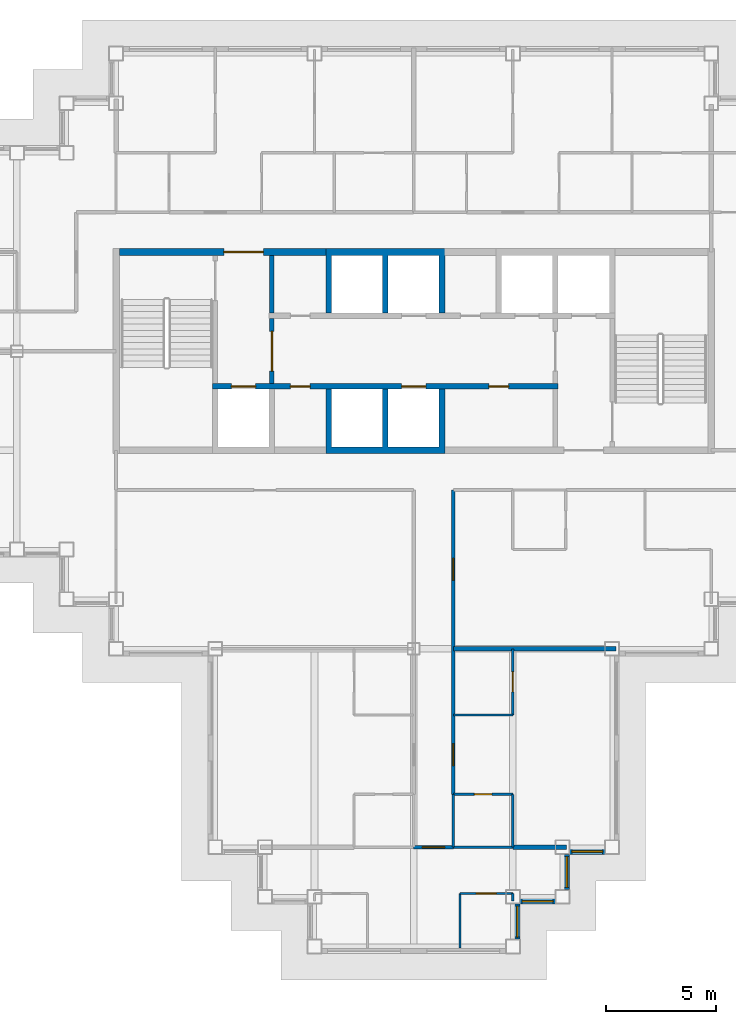
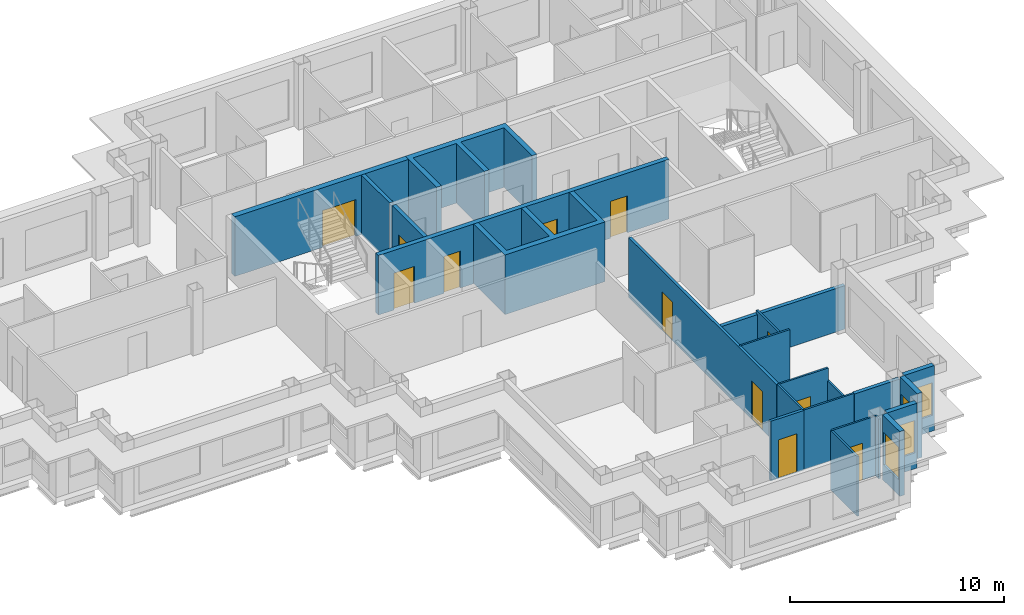
# One storey, part 4 of 12: 23 walls, 12 doors, 4 windows, 16 openings.
"""IFC4 building model written with IfcOpenShell, lengths in metres."""

from ifc_helpers import new_model, si_unit, direction, frame, frame_2d, origin, place, context, subcontext, project, spatial, polyline, rectangle, outline, extrude, material, layer, layer_set, type_object, element, fill, save


model = new_model("IFC4")

# Units and contexts
model_context = context("Model", 3, precision=1e-05, world=origin(), true_north=direction((0.0, 1.0)))
body_context = subcontext(model_context, "Body", "Model", "MODEL_VIEW")
ifc_project = project(units=[si_unit("LENGTHUNIT", "METRE"), si_unit("AREAUNIT", "SQUARE_METRE"), si_unit("VOLUMEUNIT", "CUBIC_METRE"), si_unit("PLANEANGLEUNIT", "RADIAN"), si_unit("MASSUNIT", "GRAM", prefix="KILO")], contexts=[model_context])

# Site, building, storey
site_placement = place(None, origin())
site = spatial("IfcSite", under=ifc_project, at=site_placement, CompositionType="ELEMENT")
building_placement = place(site_placement, origin())
building = spatial("IfcBuilding", under=site, at=building_placement, Name="Caravel Reach Hotel and Residences", CompositionType="ELEMENT")
storey_placement = place(building_placement, frame((0.0, 0.0, 214.60009765625)))
storey = spatial("IfcBuildingStorey", under=building, at=storey_placement, Name="L54", CompositionType="ELEMENT", Elevation=214.60009765625)

# Wall
ifc_material_1 = material(Name="Gypsum board on steel stud", Category="steel")
ifc_layer_1 = layer(ifc_material_1, 0.10009765625)
ifc_layer_set_1 = layer_set([ifc_layer_1], Name="Bathroom pod wall 100 mm")
wall_type_1 = type_object("IfcWallType", Name="Bathroom pod wall 100 mm", PredefinedType="PARTITIONING", material=ifc_layer_set_1)
wall_1_placement = place(storey_placement, frame((33.300048828125, 4.5, 0.0), z_axis=(0.0, 0.0, 1.0), x_axis=(1.0, 0.0, 0.0)))
element("IfcWall", 1, at=wall_1_placement, inside=storey, type_object=wall_type_1, Name="L54 wall w086", PredefinedType="PARTITIONING", context=body_context, shape_type="SweptSolid", body=[
    extrude(rectangle(XDim=2.699951171875, YDim=0.10009765625, at=frame_2d((1.35009765625, 0.0))), origin(), (0.0, 0.0, 1.0), 3.39990234375),
])

# Wall, opening, door
wall_2_placement = place(storey_placement, frame((33.300048828125, 6.89990234375, 0.0), z_axis=(0.0, 0.0, 1.0), x_axis=(1.0, 0.0, 0.0)))
wall_2 = element("IfcWall", 2, at=wall_2_placement, inside=storey, type_object=wall_type_1, Name="L54 wall w088", PredefinedType="PARTITIONING", context=body_context, shape_type="SweptSolid", body=[
    extrude(rectangle(XDim=2.699951171875, YDim=0.10009765625, at=frame_2d((1.35009765625, 0.0))), origin(), (0.0, 0.0, 1.0), 3.39990234375),
])
opening_1_placement = place(wall_2_placement, frame((0.949951171875, 0.0, 0.0)))
opening_1 = element("IfcOpeningElement", 3, at=opening_1_placement, cuts=wall_2, Name="Opening D54-040", PredefinedType="OPENING", context=body_context, shape_type="SweptSolid", body=[
    extrude(rectangle(XDim=0.800048828125, YDim=2.10009765625, at=frame_2d((0.39990234375, 1.050048828125))), frame((0.0, 0.06005859375, 0.0), z_axis=(0.0, -1.0, 0.0), x_axis=(1.0, 0.0, 0.0)), (0.0, 0.0, 1.0), 0.1201171875),
])
ifc_material_2 = material(Name="Timber and steel door leaf", Category="steel")
door_type_1 = type_object("IfcDoorType", Name="Bathroom door 800 x 2100", OperationType="SINGLE_SWING_LEFT", PredefinedType="DOOR", material=ifc_material_2)
door_1_placement = place(opening_1_placement, origin())
door_1 = element("IfcDoor", 4, at=door_1_placement, inside=storey, type_object=door_type_1, Name="door D54-040", OperationType="SINGLE_SWING_LEFT", OverallHeight=2.10009765625, OverallWidth=0.800048828125, PredefinedType="DOOR", context=body_context, shape_type="SweptSolid", body=[
    extrude(rectangle(XDim=0.800048828125, YDim=2.10009765625, at=frame_2d((0.39990234375, 1.050048828125))), frame((0.0, 0.02490234375, 0.0), z_axis=(0.0, -1.0, 0.0), x_axis=(1.0, 0.0, 0.0)), (0.0, 0.0, 1.0), 0.050048828125),
])
fill(opening_1, door_1)

# Walls
wall_3_placement = place(storey_placement, frame((33.300048828125, 4.5, 0.0), z_axis=(0.0, 0.0, 1.0), x_axis=(0.0, 1.0, 0.0)))
element("IfcWall", 5, at=wall_3_placement, inside=storey, type_object=wall_type_1, Name="L54 wall w097", PredefinedType="PARTITIONING", context=body_context, shape_type="SweptSolid", body=[
    extrude(rectangle(XDim=2.39990234375, YDim=0.10009765625, at=frame_2d((1.199951171875, 0.0))), origin(), (0.0, 0.0, 1.0), 3.39990234375),
])
wall_4_placement = place(storey_placement, frame((36.0, 4.5, 0.0), z_axis=(0.0, 0.0, 1.0), x_axis=(0.0, 1.0, 0.0)))
element("IfcWall", 6, at=wall_4_placement, inside=storey, type_object=wall_type_1, Name="L54 wall w099", PredefinedType="PARTITIONING", context=body_context, shape_type="SweptSolid", body=[
    extrude(rectangle(XDim=2.39990234375, YDim=0.10009765625, at=frame_2d((1.199951171875, 0.0))), origin(), (0.0, 0.0, 1.0), 2.679931640625),
])
ifc_material_3 = material(Name="Autoclaved aerated block wall")
ifc_layer_2 = layer(ifc_material_3, 0.199951171875)
ifc_layer_set_2 = layer_set([ifc_layer_2], Name="Compartment wall 200 mm EI 120")
wall_type_2 = type_object("IfcWallType", Name="Compartment wall 200 mm EI 120", PredefinedType="PARTITIONING", material=ifc_layer_set_2)
wall_5_placement = place(storey_placement, frame((25.071533203125, 28.72509765625, 0.0), z_axis=(0.0, 0.0, 1.0), x_axis=(0.0, 1.0, 0.0)))
element("IfcWall", 7, at=wall_5_placement, inside=storey, type_object=wall_type_2, Name="L54 store partition", PredefinedType="PARTITIONING", context=body_context, shape_type="SweptSolid", body=[
    extrude(rectangle(XDim=2.625, YDim=0.199951171875, at=frame_2d((1.3125, 0.0))), origin(), (0.0, 0.0, 1.0), 3.39990234375),
])

# Wall, opening, door
ifc_material_4 = material(Name="Concrete C60", Category="concrete")
ifc_layer_3 = layer(ifc_material_4, 0.300048828125)
ifc_layer_set_3 = layer_set([ifc_layer_3], Name="Core wall 300 mm EI 120")
wall_type_3 = type_object("IfcWallType", Name="Core wall 300 mm EI 120", PredefinedType="SHEAR", material=ifc_layer_set_3)
wall_6_placement = place(storey_placement, frame((18.14990234375, 31.5, 0.0), z_axis=(0.0, 0.0, 1.0), x_axis=(1.0, 0.0, 0.0)))
wall_6 = element("IfcWall", 8, at=wall_6_placement, inside=storey, type_object=wall_type_3, Name="L54 core wall N1", PredefinedType="SHEAR", context=body_context, shape_type="SweptSolid", body=[
    extrude(rectangle(XDim=9.367919921875, YDim=0.300048828125, at=frame_2d((4.68408203125, 0.0))), origin(), (0.0, 0.0, 1.0), 3.39990234375),
])
opening_2_placement = place(wall_6_placement, frame((4.735595703125, 0.0, 0.0)))
opening_2 = element("IfcOpeningElement", 9, at=opening_2_placement, cuts=wall_6, Name="Opening D54-014", PredefinedType="OPENING", context=body_context, shape_type="SweptSolid", body=[
    extrude(rectangle(XDim=1.800048828125, YDim=2.10009765625, at=frame_2d((0.89990234375, 1.050048828125))), frame((0.0, 0.159912109375, 0.0), z_axis=(0.0, -1.0, 0.0), x_axis=(1.0, 0.0, 0.0)), (0.0, 0.0, 1.0), 0.320068359375),
])
ifc_material_5 = material(Name="Steel fire door leaf", Category="steel")
door_type_2 = type_object("IfcDoorType", Name="Fire lobby door pair 1800 x 2100 EI 90", OperationType="DOUBLE_DOOR_SINGLE_SWING", PredefinedType="DOOR", material=ifc_material_5)
door_2_placement = place(opening_2_placement, origin())
door_2 = element("IfcDoor", 10, at=door_2_placement, inside=storey, type_object=door_type_2, Name="lobby N door pair to corridor", OperationType="DOUBLE_DOOR_SINGLE_SWING", OverallHeight=2.10009765625, OverallWidth=1.800048828125, PredefinedType="DOOR", context=body_context, shape_type="SweptSolid", body=[
    extrude(rectangle(XDim=1.800048828125, YDim=2.10009765625, at=frame_2d((0.89990234375, 1.050048828125))), frame((0.0, 0.02490234375, 0.0), z_axis=(0.0, -1.0, 0.0), x_axis=(1.0, 0.0, 0.0)), (0.0, 0.0, 1.0), 0.050048828125),
])
fill(opening_2, door_2)

ifc_material_6 = material(Name="Gypsum board on steel stud, fire-rated", Category="steel")
ifc_layer_4 = layer(ifc_material_6, 0.14990234375)
ifc_layer_set_4 = layer_set([ifc_layer_4], Name="Corridor wall 150 mm EI 60")
wall_type_4 = type_object("IfcWallType", Name="Corridor wall 150 mm EI 60", PredefinedType="PARTITIONING", material=ifc_layer_set_4)
wall_7_placement = place(storey_placement, frame((31.5, 4.5, 0.0), z_axis=(0.0, 0.0, 1.0), x_axis=(1.0, 0.0, 0.0)))
wall_7 = element("IfcWall", 11, at=wall_7_placement, inside=storey, type_object=wall_type_4, Name="L54 wall w018", PredefinedType="PARTITIONING", context=body_context, shape_type="SweptSolid", body=[
    extrude(rectangle(XDim=1.800048828125, YDim=0.14990234375, at=frame_2d((0.89990234375, 0.0))), origin(), (0.0, 0.0, 1.0), 3.39990234375),
])
opening_3_placement = place(wall_7_placement, frame((0.39990234375, 0.0, 0.0)))
opening_3 = element("IfcOpeningElement", 12, at=opening_3_placement, cuts=wall_7, Name="Opening D54-046", PredefinedType="OPENING", context=body_context, shape_type="SweptSolid", body=[
    extrude(rectangle(XDim=1.0, YDim=2.199951171875, at=frame_2d((0.5, 1.10009765625))), frame((0.0, 0.0849609375, 0.0), z_axis=(0.0, -1.0, 0.0), x_axis=(1.0, 0.0, 0.0)), (0.0, 0.0, 1.0), 0.169921875),
])
ifc_material_7 = material(Name="Steel fire door leaf", Category="steel")
door_type_3 = type_object("IfcDoorType", Name="Flat entrance door 1000 x 2200 EI 60", OperationType="SINGLE_SWING_LEFT", PredefinedType="DOOR", material=ifc_material_7)
door_3_placement = place(opening_3_placement, origin())
door_3 = element("IfcDoor", 13, at=door_3_placement, inside=storey, type_object=door_type_3, Name="door D54-046", OperationType="SINGLE_SWING_RIGHT", OverallHeight=2.199951171875, OverallWidth=1.0, PredefinedType="DOOR", context=body_context, shape_type="SweptSolid", body=[
    extrude(rectangle(XDim=1.0, YDim=2.199951171875, at=frame_2d((0.5, 1.10009765625))), frame((0.0, 0.02490234375, 0.0), z_axis=(0.0, -1.0, 0.0), x_axis=(1.0, 0.0, 0.0)), (0.0, 0.0, 1.0), 0.050048828125),
])
fill(opening_3, door_3)

# Wall, openings, doors
wall_8_placement = place(storey_placement, frame((33.300048828125, 6.89990234375, 0.0), z_axis=(0.0, 0.0, 1.0), x_axis=(0.0, 1.0, 0.0)))
wall_8 = element("IfcWall", 14, at=wall_8_placement, inside=storey, type_object=wall_type_4, Name="L54 wall w024", PredefinedType="PARTITIONING", context=body_context, shape_type="SweptSolid", body=[
    extrude(rectangle(XDim=13.799072265625, YDim=0.14990234375, at=frame_2d((6.8994140625, 0.0))), origin(), (0.0, 0.0, 1.0), 3.39990234375),
])
opening_4_placement = place(wall_8_placement, frame((9.69921875, 0.0, 0.0)))
opening_4 = element("IfcOpeningElement", 15, at=opening_4_placement, cuts=wall_8, Name="Opening D54-033", PredefinedType="OPENING", context=body_context, shape_type="SweptSolid", body=[
    extrude(rectangle(XDim=1.0, YDim=2.199951171875, at=frame_2d((0.5, 1.10009765625))), frame((0.0, 0.0849609375, 0.0), z_axis=(0.0, -1.0, 0.0), x_axis=(1.0, 0.0, 0.0)), (0.0, 0.0, 1.0), 0.169921875),
])
opening_5_placement = place(wall_8_placement, frame((1.300048828125, 0.0, 0.0)))
opening_5 = element("IfcOpeningElement", 16, at=opening_5_placement, cuts=wall_8, Name="Opening D54-039", PredefinedType="OPENING", context=body_context, shape_type="SweptSolid", body=[
    extrude(rectangle(XDim=1.0, YDim=2.199951171875, at=frame_2d((0.5, 1.10009765625))), frame((0.0, 0.0849609375, 0.0), z_axis=(0.0, -1.0, 0.0), x_axis=(1.0, 0.0, 0.0)), (0.0, 0.0, 1.0), 0.169921875),
])
door_4_placement = place(opening_4_placement, origin())
door_4 = element("IfcDoor", 17, at=door_4_placement, inside=storey, type_object=door_type_3, Name="door D54-033", OperationType="SINGLE_SWING_LEFT", OverallHeight=2.199951171875, OverallWidth=1.0, PredefinedType="DOOR", context=body_context, shape_type="SweptSolid", body=[
    extrude(rectangle(XDim=1.0, YDim=2.199951171875, at=frame_2d((0.5, 1.10009765625))), frame((0.0, 0.02490234375, 0.0), z_axis=(0.0, -1.0, 0.0), x_axis=(1.0, 0.0, 0.0)), (0.0, 0.0, 1.0), 0.050048828125),
])
fill(opening_4, door_4)
door_5_placement = place(opening_5_placement, origin())
door_5 = element("IfcDoor", 18, at=door_5_placement, inside=storey, type_object=door_type_3, Name="door D54-039", OperationType="SINGLE_SWING_RIGHT", OverallHeight=2.199951171875, OverallWidth=1.0, PredefinedType="DOOR", context=body_context, shape_type="SweptSolid", body=[
    extrude(rectangle(XDim=1.0, YDim=2.199951171875, at=frame_2d((0.5, 1.10009765625))), frame((0.0, 0.02490234375, 0.0), z_axis=(0.0, -1.0, 0.0), x_axis=(1.0, 0.0, 0.0)), (0.0, 0.0, 1.0), 0.050048828125),
])
fill(opening_5, door_5)

# Wall, opening, window
ifc_material_8 = material(Name="Insulated rainscreen wall, aluminium cladding", Category="aluminium")
ifc_layer_5 = layer(ifc_material_8, 0.25)
ifc_layer_set_5 = layer_set([ifc_layer_5], Name="EW1 Tower rainscreen wall")
wall_type_5 = type_object("IfcWallType", Name="EW1 Tower rainscreen wall", PredefinedType="SOLIDWALL", material=ifc_layer_set_5)
wall_9_placement = place(storey_placement, frame((36.199951171875, 0.324951171875, 0.0), z_axis=(0.0, 0.0, 1.0), x_axis=(0.0, 1.0, 0.0)))
wall_9 = element("IfcWall", 19, at=wall_9_placement, inside=storey, type_object=wall_type_5, Name="External wall L54 E36.1", PredefinedType="SOLIDWALL", context=body_context, shape_type="SweptSolid", body=[
    extrude(rectangle(XDim=1.60009765625, YDim=0.25, at=frame_2d((0.800048828125, 0.0))), origin(), (0.0, 0.0, 1.0), 3.699951171875),
])
opening_6_placement = place(wall_9_placement, frame((0.10009765625, 0.0, 0.89990234375)))
opening_6 = element("IfcOpeningElement", 20, at=opening_6_placement, cuts=wall_9, Name="Opening WN22", PredefinedType="OPENING", context=body_context, shape_type="SweptSolid", body=[
    extrude(rectangle(XDim=1.39990234375, YDim=1.85009765625, at=frame_2d((0.699951171875, 0.925048828125))), frame((0.0, 0.135009765625, 0.0), z_axis=(0.0, -1.0, 0.0), x_axis=(1.0, 0.0, 0.0)), (0.0, 0.0, 1.0), 0.27001953125),
])
ifc_material_9 = material(Name="Dark low-e glazing in black aluminium frame", Category="aluminium")
window_type = type_object("IfcWindowType", Name="Residence bedroom window 1400 x 1850", PartitioningType="SINGLE_PANEL", PredefinedType="WINDOW", material=ifc_material_9)
window_1_placement = place(opening_6_placement, origin())
window_1 = element("IfcWindow", 21, at=window_1_placement, inside=storey, type_object=window_type, Name="Window L54 E36.1.1", OverallHeight=1.85009765625, OverallWidth=1.39990234375, PartitioningType="SINGLE_PANEL", PredefinedType="WINDOW", context=body_context, shape_type="SweptSolid", body=[
    extrude(rectangle(XDim=1.39990234375, YDim=1.85009765625, at=frame_2d((0.699951171875, 0.925048828125))), frame((0.0, 0.030029296875, 0.0), z_axis=(0.0, -1.0, 0.0), x_axis=(1.0, 0.0, 0.0)), (0.0, 0.0, 1.0), 0.06005859375),
])
fill(opening_6, window_1)

wall_10_placement = place(storey_placement, frame((36.324951171875, 2.050048828125, 0.0), z_axis=(0.0, 0.0, 1.0), x_axis=(1.0, 0.0, 0.0)))
wall_10 = element("IfcWall", 22, at=wall_10_placement, inside=storey, type_object=wall_type_5, Name="External wall L54 S37.1", PredefinedType="SOLIDWALL", context=body_context, shape_type="SweptSolid", body=[
    extrude(rectangle(XDim=1.60009765625, YDim=0.25, at=frame_2d((0.800048828125, 0.0))), origin(), (0.0, 0.0, 1.0), 3.699951171875),
])
opening_7_placement = place(wall_10_placement, frame((0.10009765625, 0.0, 0.89990234375)))
opening_7 = element("IfcOpeningElement", 23, at=opening_7_placement, cuts=wall_10, Name="Opening WN22", PredefinedType="OPENING", context=body_context, shape_type="SweptSolid", body=[
    extrude(rectangle(XDim=1.39990234375, YDim=1.85009765625, at=frame_2d((0.699951171875, 0.925048828125))), frame((0.0, 0.135009765625, 0.0), z_axis=(0.0, -1.0, 0.0), x_axis=(1.0, 0.0, 0.0)), (0.0, 0.0, 1.0), 0.27001953125),
])
window_2_placement = place(opening_7_placement, origin())
window_2 = element("IfcWindow", 24, at=window_2_placement, inside=storey, type_object=window_type, Name="Window L54 S37.1.1", OverallHeight=1.85009765625, OverallWidth=1.39990234375, PartitioningType="SINGLE_PANEL", PredefinedType="WINDOW", context=body_context, shape_type="SweptSolid", body=[
    extrude(rectangle(XDim=1.39990234375, YDim=1.85009765625, at=frame_2d((0.699951171875, 0.925048828125))), frame((0.0, 0.030029296875, 0.0), z_axis=(0.0, -1.0, 0.0), x_axis=(1.0, 0.0, 0.0)), (0.0, 0.0, 1.0), 0.06005859375),
])
fill(opening_7, window_2)

wall_11_placement = place(storey_placement, frame((38.449951171875, 2.574951171875, 0.0), z_axis=(0.0, 0.0, 1.0), x_axis=(0.0, 1.0, 0.0)))
wall_11 = element("IfcWall", 25, at=wall_11_placement, inside=storey, type_object=wall_type_5, Name="External wall L54 E38.1", PredefinedType="SOLIDWALL", context=body_context, shape_type="SweptSolid", body=[
    extrude(rectangle(XDim=1.60009765625, YDim=0.25, at=frame_2d((0.800048828125, 0.0))), origin(), (0.0, 0.0, 1.0), 3.699951171875),
])
opening_8_placement = place(wall_11_placement, frame((0.10009765625, 0.0, 0.89990234375)))
opening_8 = element("IfcOpeningElement", 26, at=opening_8_placement, cuts=wall_11, Name="Opening WN22", PredefinedType="OPENING", context=body_context, shape_type="SweptSolid", body=[
    extrude(rectangle(XDim=1.39990234375, YDim=1.85009765625, at=frame_2d((0.699951171875, 0.925048828125))), frame((0.0, 0.135009765625, 0.0), z_axis=(0.0, -1.0, 0.0), x_axis=(1.0, 0.0, 0.0)), (0.0, 0.0, 1.0), 0.27001953125),
])
window_3_placement = place(opening_8_placement, origin())
window_3 = element("IfcWindow", 27, at=window_3_placement, inside=storey, type_object=window_type, Name="Window L54 E38.1.1", OverallHeight=1.85009765625, OverallWidth=1.39990234375, PartitioningType="SINGLE_PANEL", PredefinedType="WINDOW", context=body_context, shape_type="SweptSolid", body=[
    extrude(rectangle(XDim=1.39990234375, YDim=1.85009765625, at=frame_2d((0.699951171875, 0.925048828125))), frame((0.0, 0.030029296875, 0.0), z_axis=(0.0, -1.0, 0.0), x_axis=(1.0, 0.0, 0.0)), (0.0, 0.0, 1.0), 0.06005859375),
])
fill(opening_8, window_3)

wall_12_placement = place(storey_placement, frame((38.574951171875, 4.300048828125, 0.0), z_axis=(0.0, 0.0, 1.0), x_axis=(1.0, 0.0, 0.0)))
wall_12 = element("IfcWall", 28, at=wall_12_placement, inside=storey, type_object=wall_type_5, Name="External wall L54 S39.1", PredefinedType="SOLIDWALL", context=body_context, shape_type="SweptSolid", body=[
    extrude(rectangle(XDim=1.60009765625, YDim=0.25, at=frame_2d((0.800048828125, 0.0))), origin(), (0.0, 0.0, 1.0), 3.699951171875),
])
opening_9_placement = place(wall_12_placement, frame((0.10009765625, 0.0, 0.89990234375)))
opening_9 = element("IfcOpeningElement", 29, at=opening_9_placement, cuts=wall_12, Name="Opening WN22", PredefinedType="OPENING", context=body_context, shape_type="SweptSolid", body=[
    extrude(rectangle(XDim=1.39990234375, YDim=1.85009765625, at=frame_2d((0.699951171875, 0.925048828125))), frame((0.0, 0.135009765625, 0.0), z_axis=(0.0, -1.0, 0.0), x_axis=(1.0, 0.0, 0.0)), (0.0, 0.0, 1.0), 0.27001953125),
])
window_4_placement = place(opening_9_placement, origin())
window_4 = element("IfcWindow", 30, at=window_4_placement, inside=storey, type_object=window_type, Name="Window L54 S39.1.1", OverallHeight=1.85009765625, OverallWidth=1.39990234375, PartitioningType="SINGLE_PANEL", PredefinedType="WINDOW", context=body_context, shape_type="SweptSolid", body=[
    extrude(rectangle(XDim=1.39990234375, YDim=1.85009765625, at=frame_2d((0.699951171875, 0.925048828125))), frame((0.0, 0.030029296875, 0.0), z_axis=(0.0, -1.0, 0.0), x_axis=(1.0, 0.0, 0.0)), (0.0, 0.0, 1.0), 0.06005859375),
])
fill(opening_9, window_4)

# Wall, opening, door
ifc_material_10 = material(Name="Autoclaved aerated block wall")
ifc_layer_6 = layer(ifc_material_10, 0.199951171875)
ifc_layer_set_6 = layer_set([ifc_layer_6], Name="Fire lobby wall 200 mm EI 120")
wall_type_6 = type_object("IfcWallType", Name="Fire lobby wall 200 mm EI 120", PredefinedType="PARTITIONING", material=ifc_layer_set_6)
wall_13_placement = place(storey_placement, frame((25.071533203125, 25.52490234375, 0.0), z_axis=(0.0, 0.0, 1.0), x_axis=(0.0, 1.0, 0.0)))
wall_13 = element("IfcWall", 31, at=wall_13_placement, inside=storey, type_object=wall_type_6, Name="L54 lobby W wall", PredefinedType="PARTITIONING", context=body_context, shape_type="SweptSolid", body=[
    extrude(rectangle(XDim=2.9501953125, YDim=0.199951171875, at=frame_2d((1.47509765625, 0.0))), origin(), (0.0, 0.0, 1.0), 3.39990234375),
])
opening_10_placement = place(wall_13_placement, frame((0.574951171875, 0.0, 0.0)))
opening_10 = element("IfcOpeningElement", 32, at=opening_10_placement, cuts=wall_13, Name="Opening D54-012", PredefinedType="OPENING", context=body_context, shape_type="SweptSolid", body=[
    extrude(rectangle(XDim=1.800048828125, YDim=2.10009765625, at=frame_2d((0.89990234375, 1.050048828125))), frame((0.0, 0.10986328125, 0.0), z_axis=(0.0, -1.0, 0.0), x_axis=(1.0, 0.0, 0.0)), (0.0, 0.0, 1.0), 0.219970703125),
])
door_6_placement = place(opening_10_placement, origin())
door_6 = element("IfcDoor", 33, at=door_6_placement, inside=storey, type_object=door_type_2, Name="lobby W door pair", OperationType="DOUBLE_DOOR_SINGLE_SWING", OverallHeight=2.10009765625, OverallWidth=1.800048828125, PredefinedType="DOOR", context=body_context, shape_type="SweptSolid", body=[
    extrude(rectangle(XDim=1.800048828125, YDim=2.10009765625, at=frame_2d((0.89990234375, 1.050048828125))), frame((0.0, 0.02490234375, 0.0), z_axis=(0.0, -1.0, 0.0), x_axis=(1.0, 0.0, 0.0)), (0.0, 0.0, 1.0), 0.050048828125),
])
fill(opening_10, door_6)

# Wall
ifc_material_11 = material(Name="Gypsum board on steel stud", Category="steel")
ifc_layer_7 = layer(ifc_material_11, 0.10009765625)
ifc_layer_set_7 = layer_set([ifc_layer_7], Name="Partition 100 mm")
wall_type_7 = type_object("IfcWallType", Name="Partition 100 mm", PredefinedType="PARTITIONING", material=ifc_layer_set_7)
wall_14_placement = place(storey_placement, frame((33.300048828125, 10.5, 0.0), z_axis=(0.0, 0.0, 1.0), x_axis=(1.0, 0.0, 0.0)))
element("IfcWall", 34, at=wall_14_placement, inside=storey, type_object=wall_type_7, Name="L54 wall w029", PredefinedType="PARTITIONING", context=body_context, shape_type="SweptSolid", body=[
    extrude(rectangle(XDim=2.699951171875, YDim=0.10009765625, at=frame_2d((1.35009765625, 0.0))), origin(), (0.0, 0.0, 1.0), 3.39990234375),
])

# Wall, opening, door
wall_15_placement = place(storey_placement, frame((33.60009765625, 2.39990234375, 0.0), z_axis=(0.0, 0.0, 1.0), x_axis=(1.0, 0.0, 0.0)))
wall_15 = element("IfcWall", 35, at=wall_15_placement, inside=storey, type_object=wall_type_7, Name="L54 wall w034", PredefinedType="PARTITIONING", context=body_context, shape_type="SweptSolid", body=[
    extrude(rectangle(XDim=2.39990234375, YDim=0.10009765625, at=frame_2d((1.199951171875, 0.0))), origin(), (0.0, 0.0, 1.0), 3.39990234375),
])
opening_11_placement = place(wall_15_placement, frame((0.75, 0.0, 0.0)))
opening_11 = element("IfcOpeningElement", 36, at=opening_11_placement, cuts=wall_15, Name="Opening D54-048", PredefinedType="OPENING", context=body_context, shape_type="SweptSolid", body=[
    extrude(rectangle(XDim=0.89990234375, YDim=2.10009765625, at=frame_2d((0.449951171875, 1.050048828125))), frame((0.0, 0.06005859375, 0.0), z_axis=(0.0, -1.0, 0.0), x_axis=(1.0, 0.0, 0.0)), (0.0, 0.0, 1.0), 0.1201171875),
])
ifc_material_12 = material(Name="Timber and steel door leaf", Category="steel")
door_type_4 = type_object("IfcDoorType", Name="Door 900 x 2100 timber", OperationType="SINGLE_SWING_LEFT", PredefinedType="DOOR", material=ifc_material_12)
door_7_placement = place(opening_11_placement, origin())
door_7 = element("IfcDoor", 37, at=door_7_placement, inside=storey, type_object=door_type_4, Name="door D54-048", OperationType="SINGLE_SWING_RIGHT", OverallHeight=2.10009765625, OverallWidth=0.89990234375, PredefinedType="DOOR", context=body_context, shape_type="SweptSolid", body=[
    extrude(rectangle(XDim=0.89990234375, YDim=2.10009765625, at=frame_2d((0.449951171875, 1.050048828125))), frame((0.0, 0.02490234375, 0.0), z_axis=(0.0, -1.0, 0.0), x_axis=(1.0, 0.0, 0.0)), (0.0, 0.0, 1.0), 0.050048828125),
])
fill(opening_11, door_7)

# Wall
wall_16_placement = place(storey_placement, frame((33.60009765625, -0.074951171875, 0.0), z_axis=(0.0, 0.0, 1.0), x_axis=(0.0, 1.0, 0.0)))
element("IfcWall", 38, at=wall_16_placement, inside=storey, type_object=wall_type_7, Name="L54 wall w056", PredefinedType="PARTITIONING", context=body_context, shape_type="SweptSolid", body=[
    extrude(rectangle(XDim=2.474853515625, YDim=0.10009765625, at=frame_2d((1.2373046875, 0.0))), origin(), (0.0, 0.0, 1.0), 3.39990234375),
])

# Wall, opening, door
wall_17_placement = place(storey_placement, frame((36.0, 10.5, 0.0), z_axis=(0.0, 0.0, 1.0), x_axis=(0.0, 1.0, 0.0)))
wall_17 = element("IfcWall", 39, at=wall_17_placement, inside=storey, type_object=wall_type_7, Name="L54 wall w058", PredefinedType="PARTITIONING", context=body_context, shape_type="SweptSolid", body=[
    extrude(rectangle(XDim=3.0, YDim=0.10009765625, at=frame_2d((1.5, 0.0))), origin(), (0.0, 0.0, 1.0), 2.679931640625),
])
opening_12_placement = place(wall_17_placement, frame((1.050048828125, 0.0, 0.0)))
opening_12 = element("IfcOpeningElement", 40, at=opening_12_placement, cuts=wall_17, Name="Opening D54-041", PredefinedType="OPENING", context=body_context, shape_type="SweptSolid", body=[
    extrude(rectangle(XDim=0.89990234375, YDim=2.10009765625, at=frame_2d((0.449951171875, 1.050048828125))), frame((0.0, 0.06005859375, 0.0), z_axis=(0.0, -1.0, 0.0), x_axis=(1.0, 0.0, 0.0)), (0.0, 0.0, 1.0), 0.1201171875),
])
door_8_placement = place(opening_12_placement, origin())
door_8 = element("IfcDoor", 41, at=door_8_placement, inside=storey, type_object=door_type_4, Name="door D54-041", OperationType="SINGLE_SWING_LEFT", OverallHeight=2.10009765625, OverallWidth=0.89990234375, PredefinedType="DOOR", context=body_context, shape_type="SweptSolid", body=[
    extrude(rectangle(XDim=0.89990234375, YDim=2.10009765625, at=frame_2d((0.449951171875, 1.050048828125))), frame((0.0, 0.02490234375, 0.0), z_axis=(0.0, -1.0, 0.0), x_axis=(1.0, 0.0, 0.0)), (0.0, 0.0, 1.0), 0.050048828125),
])
fill(opening_12, door_8)

# Walls
wall_18_placement = place(storey_placement, frame((36.0, 2.06005859375, 0.0), z_axis=(0.0, 0.0, 1.0), x_axis=(0.0, 1.0, 0.0)))
element("IfcWall", 42, at=wall_18_placement, inside=storey, type_object=wall_type_7, Name="L54 wall w059", PredefinedType="PARTITIONING", context=body_context, shape_type="SweptSolid", body=[
    extrude(rectangle(XDim=0.33984375, YDim=0.10009765625, at=frame_2d((0.169921875, 0.0))), origin(), (0.0, 0.0, 1.0), 3.39990234375),
])
ifc_material_13 = material(Name="Autoclaved aerated block wall")
ifc_layer_8 = layer(ifc_material_13, 0.199951171875)
ifc_layer_set_8 = layer_set([ifc_layer_8], Name="Party wall 200 mm EI 60")
wall_type_8 = type_object("IfcWallType", Name="Party wall 200 mm EI 60", PredefinedType="PARTITIONING", material=ifc_layer_set_8)
wall_19_placement = place(storey_placement, frame((33.301025390625, 13.5, 0.0), z_axis=(0.0, 0.0, 1.0), x_axis=(1.0, 0.0, 0.0)))
element("IfcWall", 43, at=wall_19_placement, inside=storey, type_object=wall_type_8, Name="L54 wall w069", PredefinedType="PARTITIONING", context=body_context, shape_type="SweptSolid", body=[
    extrude(rectangle(XDim=7.388916015625, YDim=0.199951171875, at=frame_2d((3.6943359375, 0.0))), origin(), (0.0, 0.0, 1.0), 2.47998046875),
])
wall_20_placement = place(storey_placement, frame((36.0, 4.5, 0.0), z_axis=(0.0, 0.0, 1.0), x_axis=(1.0, 0.0, 0.0)))
element("IfcWall", 44, at=wall_20_placement, inside=storey, type_object=wall_type_8, Name="L54 wall w070", PredefinedType="PARTITIONING", context=body_context, shape_type="SweptSolid", body=[
    extrude(rectangle(XDim=2.43994140625, YDim=0.199951171875, at=frame_2d((1.219970703125, 0.0))), origin(), (0.0, 0.0, 1.0), 3.39990234375),
])
ifc_material_14 = material(Name="Concrete C60", Category="concrete")
ifc_layer_9 = layer(ifc_material_14, 0.25)
ifc_layer_set_9 = layer_set([ifc_layer_9], Name="Shaft wall 250 mm EI 120")
wall_type_9 = type_object("IfcWallType", Name="Shaft wall 250 mm EI 120", PredefinedType="SHEAR", material=ifc_layer_set_9)
wall_21_placement = place(storey_placement, origin())
element("IfcWall", 45, at=wall_21_placement, inside=storey, type_object=wall_type_9, Name="L54 lift shaft wall S2", PredefinedType="SHEAR", context=body_context, shape_type="SweptSolid", body=[
    extrude(outline(polyline([(27.517822265625, 22.35009765625), (32.91064453125, 22.35009765625), (32.91064453125, 25.27490234375), (32.66064453125, 25.27490234375), (32.66064453125, 22.64990234375), (30.33935546875, 22.64990234375), (30.33935546875, 25.27490234375), (30.08935546875, 25.27490234375), (30.08935546875, 22.64990234375), (27.767822265625, 22.64990234375), (27.767822265625, 25.27490234375), (27.517822265625, 25.27490234375), (27.517822265625, 22.35009765625)])), origin(), (0.0, 0.0, 1.0), 3.39990234375),
])
wall_22_placement = place(storey_placement, origin())
element("IfcWall", 46, at=wall_22_placement, inside=storey, type_object=wall_type_9, Name="L54 lift shaft wall N1", PredefinedType="SHEAR", context=body_context, shape_type="SweptSolid", body=[
    extrude(outline(polyline([(27.517822265625, 28.72509765625), (27.767822265625, 28.72509765625), (27.767822265625, 31.35009765625), (30.08935546875, 31.35009765625), (30.08935546875, 28.72509765625), (30.33935546875, 28.72509765625), (30.33935546875, 31.35009765625), (32.66064453125, 31.35009765625), (32.66064453125, 28.72509765625), (32.91064453125, 28.72509765625), (32.91064453125, 31.64990234375), (27.517822265625, 31.64990234375), (27.517822265625, 28.72509765625)])), origin(), (0.0, 0.0, 1.0), 3.39990234375),
])

# Wall, openings, doors
wall_23_placement = place(storey_placement, frame((22.375, 25.39990234375, 0.0), z_axis=(0.0, 0.0, 1.0), x_axis=(1.0, 0.0, 0.0)))
wall_23 = element("IfcWall", 47, at=wall_23_placement, inside=storey, type_object=wall_type_9, Name="L54 lobby wall S1", PredefinedType="SHEAR", context=body_context, shape_type="SweptSolid", body=[
    extrude(rectangle(XDim=15.678466796875, YDim=0.25, at=frame_2d((7.83935546875, 0.0))), origin(), (0.0, 0.0, 1.0), 3.39990234375),
])
opening_13_placement = place(wall_23_placement, frame((8.574951171875, 0.0, 0.0)))
opening_13 = element("IfcOpeningElement", 48, at=opening_13_placement, cuts=wall_23, Name="Opening D54-001", PredefinedType="OPENING", context=body_context, shape_type="SweptSolid", body=[
    extrude(rectangle(XDim=1.10009765625, YDim=2.10009765625, at=frame_2d((0.550048828125, 1.050048828125))), frame((0.0, 0.135009765625, 0.0), z_axis=(0.0, -1.0, 0.0), x_axis=(1.0, 0.0, 0.0)), (0.0, 0.0, 1.0), 0.27001953125),
])
opening_14_placement = place(wall_23_placement, frame((0.860595703125, 0.0, 0.0)))
opening_14 = element("IfcOpeningElement", 49, at=opening_14_placement, cuts=wall_23, Name="Opening D54-004", PredefinedType="OPENING", context=body_context, shape_type="SweptSolid", body=[
    extrude(rectangle(XDim=1.10009765625, YDim=2.10009765625, at=frame_2d((0.550048828125, 1.050048828125))), frame((0.0, 0.135009765625, 0.0), z_axis=(0.0, -1.0, 0.0), x_axis=(1.0, 0.0, 0.0)), (0.0, 0.0, 1.0), 0.27001953125),
])
opening_15_placement = place(wall_23_placement, frame((3.531982421875, 0.0, 0.0)))
opening_15 = element("IfcOpeningElement", 50, at=opening_15_placement, cuts=wall_23, Name="Opening D54-006", PredefinedType="OPENING", context=body_context, shape_type="SweptSolid", body=[
    extrude(rectangle(XDim=0.89990234375, YDim=2.10009765625, at=frame_2d((0.449951171875, 1.050048828125))), frame((0.0, 0.135009765625, 0.0), z_axis=(0.0, -1.0, 0.0), x_axis=(1.0, 0.0, 0.0)), (0.0, 0.0, 1.0), 0.27001953125),
])
opening_16_placement = place(wall_23_placement, frame((12.531982421875, 0.0, 0.0)))
opening_16 = element("IfcOpeningElement", 51, at=opening_16_placement, cuts=wall_23, Name="Opening D54-007", PredefinedType="OPENING", context=body_context, shape_type="SweptSolid", body=[
    extrude(rectangle(XDim=0.89990234375, YDim=2.10009765625, at=frame_2d((0.449951171875, 1.050048828125))), frame((0.0, 0.135009765625, 0.0), z_axis=(0.0, -1.0, 0.0), x_axis=(1.0, 0.0, 0.0)), (0.0, 0.0, 1.0), 0.27001953125),
])
ifc_material_15 = material(Name="Stainless steel landing door", Category="steel")
door_type_5 = type_object("IfcDoorType", Name="Landing door LD 1100 x 2100 sliding", OperationType="DOUBLE_DOOR_SLIDING", PredefinedType="DOOR", material=ifc_material_15)
door_9_placement = place(opening_13_placement, origin())
door_9 = element("IfcDoor", 52, at=door_9_placement, inside=storey, type_object=door_type_5, Name="MP1 landing door", OperationType="DOUBLE_DOOR_SLIDING", OverallHeight=2.10009765625, OverallWidth=1.10009765625, PredefinedType="DOOR", context=body_context, shape_type="SweptSolid", body=[
    extrude(rectangle(XDim=1.10009765625, YDim=2.10009765625, at=frame_2d((0.550048828125, 1.050048828125))), frame((0.0, 0.02490234375, 0.0), z_axis=(0.0, -1.0, 0.0), x_axis=(1.0, 0.0, 0.0)), (0.0, 0.0, 1.0), 0.050048828125),
])
fill(opening_13, door_9)
door_10_placement = place(opening_14_placement, origin())
door_10 = element("IfcDoor", 53, at=door_10_placement, inside=storey, type_object=door_type_5, Name="FL1 landing door", OperationType="DOUBLE_DOOR_SLIDING", OverallHeight=2.10009765625, OverallWidth=1.10009765625, PredefinedType="DOOR", context=body_context, shape_type="SweptSolid", body=[
    extrude(rectangle(XDim=1.10009765625, YDim=2.10009765625, at=frame_2d((0.550048828125, 1.050048828125))), frame((0.0, 0.02490234375, 0.0), z_axis=(0.0, -1.0, 0.0), x_axis=(1.0, 0.0, 0.0)), (0.0, 0.0, 1.0), 0.050048828125),
])
fill(opening_14, door_10)
ifc_material_16 = material(Name="Steel fire door leaf", Category="steel")
door_type_6 = type_object("IfcDoorType", Name="Riser door 900 x 2100 EI 60", OperationType="SINGLE_SWING_LEFT", PredefinedType="DOOR", material=ifc_material_16)
door_11_placement = place(opening_15_placement, origin())
door_11 = element("IfcDoor", 54, at=door_11_placement, inside=storey, type_object=door_type_6, Name="Recycling store door", OperationType="SINGLE_SWING_LEFT", OverallHeight=2.10009765625, OverallWidth=0.89990234375, PredefinedType="DOOR", context=body_context, shape_type="SweptSolid", body=[
    extrude(rectangle(XDim=0.89990234375, YDim=2.10009765625, at=frame_2d((0.449951171875, 1.050048828125))), frame((0.0, 0.02490234375, 0.0), z_axis=(0.0, -1.0, 0.0), x_axis=(1.0, 0.0, 0.0)), (0.0, 0.0, 1.0), 0.050048828125),
])
fill(opening_15, door_11)
door_12_placement = place(opening_16_placement, origin())
door_12 = element("IfcDoor", 55, at=door_12_placement, inside=storey, type_object=door_type_6, Name="Residents' store door", OperationType="SINGLE_SWING_LEFT", OverallHeight=2.10009765625, OverallWidth=0.89990234375, PredefinedType="DOOR", context=body_context, shape_type="SweptSolid", body=[
    extrude(rectangle(XDim=0.89990234375, YDim=2.10009765625, at=frame_2d((0.449951171875, 1.050048828125))), frame((0.0, 0.02490234375, 0.0), z_axis=(0.0, -1.0, 0.0), x_axis=(1.0, 0.0, 0.0)), (0.0, 0.0, 1.0), 0.050048828125),
])
fill(opening_16, door_12)

save(model, "model.ifc")
